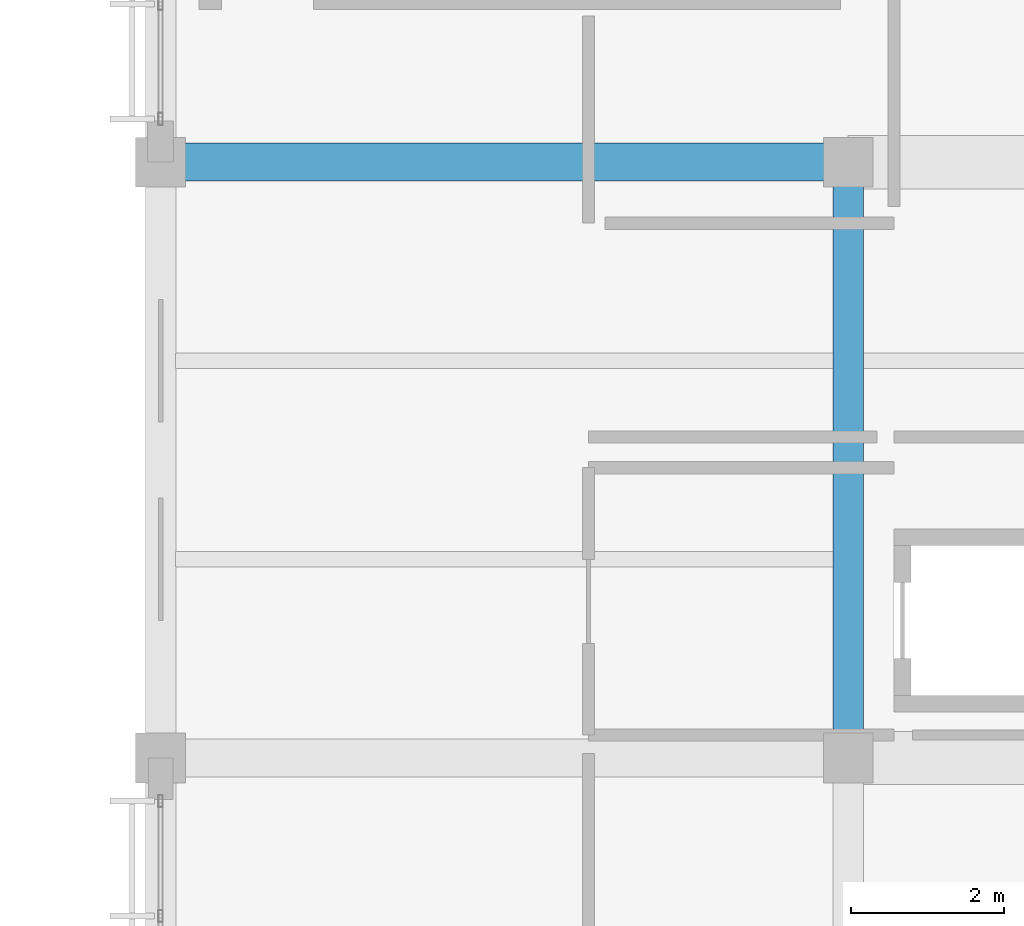
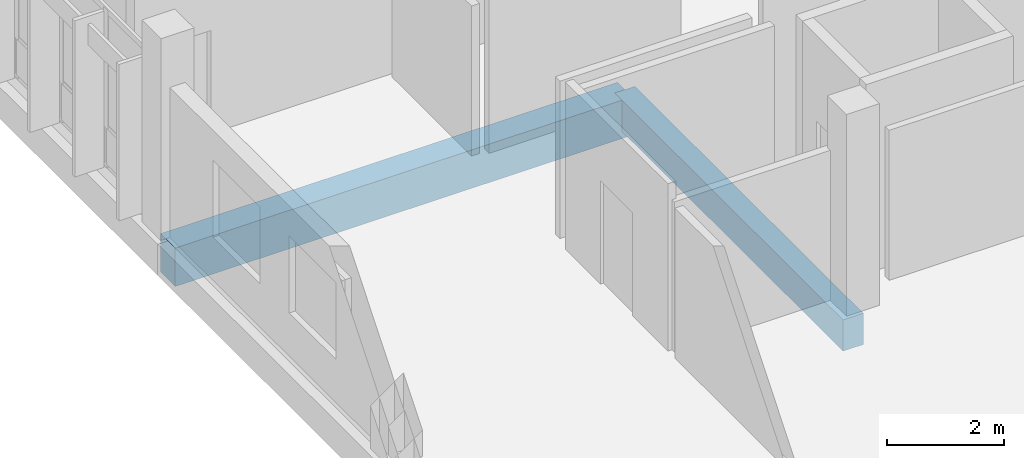
# One storey, part 97 of 182: 2 beams.
"""IFC4 building model written with IfcOpenShell, lengths in metres."""

import ifcopenshell
import ifcopenshell.guid

model = None  # the IFC model being written
_history = None  # IfcOwnerHistory: only IFC2X3 demands one
_inside = {}  # id of a spatial element -> (the spatial element, [elements in it])
_under = {}  # id of a project, library or spatial element -> (it, [spatial elements below it])
_declared = {}  # id of a project -> (the project, [libraries it declares])
_typed = {}  # id of a type object -> (the type object, [elements of that type])
_made_of = {}  # id of a material, layer set ... -> (it, [elements and type objects made of it])


def new_model(schema):
    """Start an empty IFC model of exactly this schema.

    Asked for "IFC4X3", IfcOpenShell would pick the latest addendum, in which some entities
    have other attributes; the version numbers below select the first issue.
    IFC2X3 requires an IfcOwnerHistory on every rooted entity: one is made here for all.
    """
    global model, _history
    if schema == "IFC4X3":
        model = ifcopenshell.file(schema_version=(4, 3, 0, 0))
    else:
        model = ifcopenshell.file(schema=schema)
    _inside.clear()
    _under.clear()
    _declared.clear()
    _typed.clear()
    _made_of.clear()
    _history = None
    if model.schema == "IFC2X3":
        org = make("IfcOrganization", Name="unknown")
        user = make(
            "IfcPersonAndOrganization",
            ThePerson=make("IfcPerson", FamilyName="unknown"),
            TheOrganization=org,
        )
        app = make(
            "IfcApplication",
            ApplicationDeveloper=org,
            Version="unknown",
            ApplicationFullName="unknown",
            ApplicationIdentifier="unknown",
        )
        _history = make(
            "IfcOwnerHistory",
            OwningUser=user,
            OwningApplication=app,
            ChangeAction="ADDED",
            CreationDate=0,
        )
    return model


def make(cls, **values):
    """One entity of the class cls with the attributes given. An attribute that is None is left unset."""
    return model.create_entity(
        cls, **{name: value for name, value in values.items() if value is not None}
    )


def rooted(cls, **values):
    """An entity with a GlobalId (a new one), such as an element, a storey or a relation."""
    return make(cls, GlobalId=ifcopenshell.guid.new(), OwnerHistory=_history, **values)


def si_unit(unit_type, name, prefix=None):
    """IfcSIUnit, for example si_unit("LENGTHUNIT", "METRE", prefix="MILLI")."""
    return make("IfcSIUnit", UnitType=unit_type, Prefix=prefix, Name=name)


def assignment(units):
    """IfcUnitAssignment: the units of a project."""
    return None if units is None else make("IfcUnitAssignment", Units=units)


def point(xyz):
    """IfcCartesianPoint."""
    return None if xyz is None else make("IfcCartesianPoint", Coordinates=xyz)


def direction(xyz):
    """IfcDirection."""
    return None if xyz is None else make("IfcDirection", DirectionRatios=xyz)


def frame(location, z_axis=None, x_axis=None):
    """IfcAxis2Placement3D, a coordinate frame: its origin and axes. An axis left out is left unset."""
    return make(
        "IfcAxis2Placement3D",
        Location=point(location),
        Axis=direction(z_axis),
        RefDirection=direction(x_axis),
    )


def frame_2d(location, x_axis=None):
    """IfcAxis2Placement2D, a coordinate frame in the plane: its origin and x axis."""
    return make(
        "IfcAxis2Placement2D", Location=point(location), RefDirection=direction(x_axis)
    )


def origin():
    """The frame at (0, 0, 0) with its axes left unset."""
    return frame((0.0, 0.0, 0.0))


def origin_2d():
    """The frame at (0, 0) in the plane with its x axis left unset."""
    return frame_2d((0.0, 0.0))


def place(relative_to, where):
    """IfcLocalPlacement: puts the frame where relative to a parent placement (None: the world)."""
    return make(
        "IfcLocalPlacement", PlacementRelTo=relative_to, RelativePlacement=where
    )


def context(
    kind, dimensions, precision=None, world=None, true_north=None, identifier=None
):
    """IfcGeometricRepresentationContext, for example the 3D "Model" context."""
    return make(
        "IfcGeometricRepresentationContext",
        ContextIdentifier=identifier,
        ContextType=kind,
        CoordinateSpaceDimension=dimensions,
        Precision=precision,
        WorldCoordinateSystem=world,
        TrueNorth=true_north,
    )


def subcontext(parent, identifier, kind, view, scale=None):
    """IfcGeometricRepresentationSubContext, for example "Body" below "Model"."""
    return make(
        "IfcGeometricRepresentationSubContext",
        ContextIdentifier=identifier,
        ContextType=kind,
        ParentContext=parent,
        TargetScale=scale,
        TargetView=view,
    )


def project(units=None, contexts=None):
    """IfcProject with its units and contexts."""
    return rooted(
        "IfcProject",
        Name="project",
        RepresentationContexts=contexts,
        UnitsInContext=assignment(units),
    )


def spatial(cls, under=None, at=None, **own):
    """A site, building, storey or space (cls), placed at a placement, below another one or the project."""
    s = rooted(cls, ObjectPlacement=at, **own)
    if under is not None:
        _under.setdefault(under.id(), (under, []))[1].append(s)
    return s


def profile(cls, at=None, kind="AREA", **sizes):
    """A parametric profile (cls). Its sizes go by their IFC names, for example OverallWidth=200.0."""
    return make(cls, ProfileType=kind, Position=at, **sizes)


def rectangle(**sizes):
    """IfcRectangleProfileDef."""
    return profile("IfcRectangleProfileDef", **sizes)


def extrude(swept, where, along, depth):
    """IfcExtrudedAreaSolid: the profile swept, set in the frame where, extruded along a direction by depth."""
    return make(
        "IfcExtrudedAreaSolid",
        SweptArea=swept,
        Position=where,
        ExtrudedDirection=direction(along),
        Depth=depth,
    )


def shape(context_of_items, identifier, shape_type, items):
    """IfcShapeRepresentation: the items that make up one representation, for example the "Body"."""
    return make(
        "IfcShapeRepresentation",
        ContextOfItems=context_of_items,
        RepresentationIdentifier=identifier,
        RepresentationType=shape_type,
        Items=items,
    )


def material(Name=None, Category=None):
    """IfcMaterial."""
    return make("IfcMaterial", Name=Name, Category=Category)


def material_profile(
    of_material, cross_section, Name=None, Category=None, Priority=None
):
    """IfcMaterialProfile: a cross section and its material."""
    return make(
        "IfcMaterialProfile",
        Name=Name,
        Material=of_material,
        Profile=cross_section,
        Priority=Priority,
        Category=Category,
    )


def profile_set(profiles, Name=None, composite=None):
    """IfcMaterialProfileSet."""
    return make(
        "IfcMaterialProfileSet",
        Name=Name,
        MaterialProfiles=profiles,
        CompositeProfile=composite,
    )


def made_of(thing, what):
    """Note that an element or type object is made of a material, layer set ...; save() writes the relation."""
    if what is not None:
        _made_of.setdefault(what.id(), (what, []))[1].append(thing)
    return thing


def type_object(cls, material=None, **own):
    """A type object (cls), such as IfcWallType, which elements share."""
    return made_of(rooted(cls, **own), material)


def element(
    cls,
    number,
    at=None,
    inside=None,
    cuts=None,
    type_object=None,
    material=None,
    context=None,
    identifier="Body",
    shape_type=None,
    held_by="IfcProductDefinitionShape",
    body=None,
    shapes=None,
    **own,
):
    """One element of the class cls, such as IfcWall. Its Tag is "e" and its number.

    at: its placement. inside: the storey or other place that contains it. cuts: it is an
    opening in that element (IfcRelVoidsElement). A single representation is given by context,
    identifier, shape_type and body (its items); several are given by shapes. held_by: the class
    of the entity that holds the representations. save() writes the other relations.
    """
    e = rooted(cls, Tag="e%d" % number, ObjectPlacement=at, **own)
    if body is not None:
        shapes = [shape(context, identifier, shape_type, body)]
    if shapes is not None:
        e.Representation = make(held_by, Representations=shapes)
    if inside is not None:
        _inside.setdefault(inside.id(), (inside, []))[1].append(e)
    if cuts is not None:
        rooted(
            "IfcRelVoidsElement", RelatingBuildingElement=cuts, RelatedOpeningElement=e
        )
    if type_object is not None:
        _typed.setdefault(type_object.id(), (type_object, []))[1].append(e)
    return made_of(e, material)


def aggregate(whole, parts):
    """IfcRelAggregates: a whole, such as a stair, and the parts it consists of."""
    return rooted("IfcRelAggregates", RelatingObject=whole, RelatedObjects=parts)


def save(model, path):
    """Write the relations noted so far, then the file.

    IfcRelAggregates (storeys below a building ...), IfcRelContainedInSpatialStructure (elements
    in a storey), IfcRelDefinesByType, IfcRelAssociatesMaterial and IfcRelDeclares: one each for
    every whole, place, type object, material and project.
    """
    for whole, parts in _under.values():
        aggregate(whole, parts)
    for where, things in _inside.values():
        rooted(
            "IfcRelContainedInSpatialStructure",
            RelatedElements=things,
            RelatingStructure=where,
        )
    for kind, things in _typed.values():
        rooted("IfcRelDefinesByType", RelatedObjects=things, RelatingType=kind)
    for what, things in _made_of.values():
        rooted("IfcRelAssociatesMaterial", RelatedObjects=things, RelatingMaterial=what)
    for by, libraries in _declared.values():
        rooted("IfcRelDeclares", RelatingContext=by, RelatedDefinitions=libraries)
    model.write(path)


model = new_model("IFC4")

# Units and contexts
model_context = context("Model", 3, precision=1e-05, world=origin(), true_north=direction((0.0, 1.0)))
body_context = subcontext(model_context, "Body", "Model", "MODEL_VIEW")
ifc_project = project(units=[si_unit("LENGTHUNIT", "METRE"), si_unit("AREAUNIT", "SQUARE_METRE"), si_unit("VOLUMEUNIT", "CUBIC_METRE"), si_unit("PLANEANGLEUNIT", "RADIAN"), si_unit("MASSUNIT", "GRAM", prefix="KILO")], contexts=[model_context])

# Site, building, storey
site_placement = place(None, origin())
site = spatial("IfcSite", under=ifc_project, at=site_placement, CompositionType="ELEMENT")
building_placement = place(site_placement, origin())
building = spatial("IfcBuilding", under=site, at=building_placement, Name="Chiffa Square Polytechnic", CompositionType="ELEMENT")
storey_placement = place(building_placement, frame((0.0, 0.0, 9.60009765625)))
storey = spatial("IfcBuildingStorey", under=building, at=storey_placement, Name="L02", CompositionType="ELEMENT", Elevation=9.60009765625)

# Beams
ifc_material_1 = material(Name="Concrete C35/45", Category="concrete")
ifc_material_profile_1 = material_profile(ifc_material_1, rectangle(XDim=0.39990234375, YDim=0.64990234375, at=origin_2d()), Name="RC 400x650")
ifc_profile_set_1 = profile_set([ifc_material_profile_1], Name="Concrete C35/45")
beam_type_1 = type_object("IfcBeamType", Name="BM-RC-400X650", PredefinedType="BEAM", material=ifc_profile_set_1)
beam_1_placement = place(storey_placement, frame((157.199951171875, 36.0, -0.64501953125), z_axis=(0.0, 1.0, 0.0), x_axis=(-1.0, 0.0, 0.0)))
element("IfcBeam", 1, at=beam_1_placement, inside=storey, type_object=beam_type_1, Name="Primary floor girder BM-V1-L02-Y-1572-0360", PredefinedType="BEAM", context=body_context, shape_type="SweptSolid", body=[
    extrude(rectangle(XDim=0.39990234375, YDim=0.64990234375, at=origin_2d()), origin(), (0.0, 0.0, 1.0), 7.800048828125),
])
ifc_material_2 = material(Name="Concrete C40/50", Category="concrete")
ifc_material_profile_2 = material_profile(ifc_material_2, rectangle(XDim=0.5, YDim=0.800048828125, at=origin_2d()), Name="RC 500x800")
ifc_profile_set_2 = profile_set([ifc_material_profile_2], Name="Concrete C40/50")
beam_type_2 = type_object("IfcBeamType", Name="BM-RC-500X800", PredefinedType="BEAM", material=ifc_profile_set_2)
beam_2_placement = place(storey_placement, frame((148.199951171875, 43.800048828125, -0.72021484375), z_axis=(1.0, 0.0, 0.0), x_axis=(0.0, 1.0, 0.0)))
element("IfcBeam", 2, at=beam_2_placement, inside=storey, type_object=beam_type_2, Name="Primary floor girder BM-V1-L02-X-1482-0438", PredefinedType="BEAM", context=body_context, shape_type="SweptSolid", body=[
    extrude(rectangle(XDim=0.5, YDim=0.800048828125, at=origin_2d()), origin(), (0.0, 0.0, 1.0), 9.0),
])

save(model, "model.ifc")
